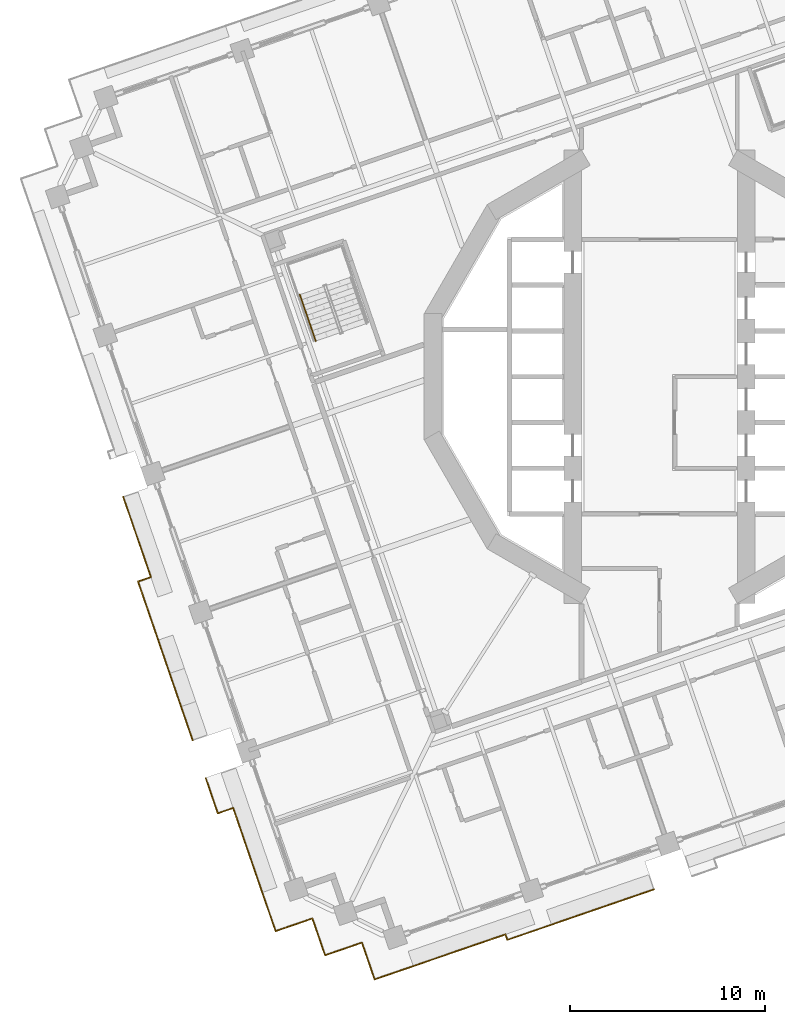
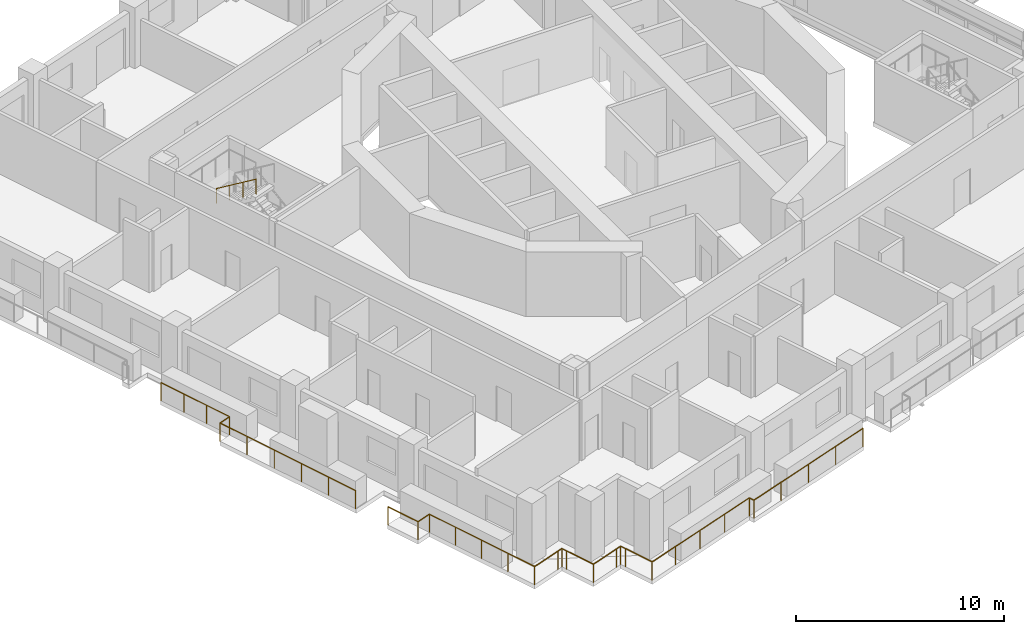
# One storey, part 16 of 22: 5 railings.
"""IFC4 building model written with IfcOpenShell, lengths in metres."""

from ifc_helpers import new_model, si_unit, direction, frame, origin, origin_2d, place, context, subcontext, project, spatial, circle, extrude, material, type_object, element, save


model = new_model("IFC4")

# Units and contexts
model_context = context("Model", 3, precision=1e-05, world=origin(), true_north=direction((0.0, 1.0)))
body_context = subcontext(model_context, "Body", "Model", "MODEL_VIEW")
ifc_project = project(units=[si_unit("LENGTHUNIT", "METRE"), si_unit("AREAUNIT", "SQUARE_METRE"), si_unit("VOLUMEUNIT", "CUBIC_METRE"), si_unit("PLANEANGLEUNIT", "RADIAN"), si_unit("MASSUNIT", "GRAM", prefix="KILO")], contexts=[model_context])

# Site, building, storey
site_placement = place(None, origin())
site = spatial("IfcSite", under=ifc_project, at=site_placement, CompositionType="ELEMENT")
building_placement = place(site_placement, origin())
building = spatial("IfcBuilding", under=site, at=building_placement, Name="Cantera Rosa Tower", CompositionType="ELEMENT")
storey_placement = place(building_placement, frame((0.0, 0.0, 115.5)))
storey = spatial("IfcBuildingStorey", under=building, at=storey_placement, Name="L23", CompositionType="ELEMENT", Elevation=115.5)

# Railings
ifc_material_1 = material(Name="Stainless steel and laminated glass", Category="steel")
railing_type_1 = type_object("IfcRailingType", Name="GUARD 1100", PredefinedType="BALUSTRADE", material=ifc_material_1)
railing_1_placement = place(storey_placement, frame((-20.25927734375, -26.859130859375, 0.0)))
element("IfcRailing", 1, at=railing_1_placement, inside=storey, type_object=railing_type_1, Name="GUARD L23-1", PredefinedType="BALUSTRADE", context=body_context, shape_type="SweptSolid", body=[
    extrude(circle(Radius=0.030029296875, at=origin_2d()), frame((0.0, 0.0, 1.070068359375), z_axis=(-0.325584707216, 0.945512875865, 0.0), x_axis=(-0.945512875865, -0.325584707216, 0.0)), (0.0, 0.0, 1.0), 4.98583984375),
    extrude(circle(Radius=0.030029296875, at=origin_2d()), frame((-1.623291015625, 4.714111328125, 1.070068359375), z_axis=(-0.94547555612, -0.325693065293, 0.0), x_axis=(0.325693065293, -0.94547555612, 0.0)), (0.0, 0.0, 1.0), 0.834228515625),
    extrude(circle(Radius=0.030029296875, at=origin_2d()), frame((-2.412109375, 4.4423828125, 1.070068359375), z_axis=(-0.325520455673, 0.945534998262, 0.0), x_axis=(-0.945534998262, -0.325520455673, 0.0)), (0.0, 0.0, 1.0), 1.904296875),
    extrude(circle(Radius=0.02490234375, at=origin_2d()), origin(), (0.0, 0.0, 1.0), 1.0400390625),
    extrude(circle(Radius=0.02490234375, at=origin_2d()), frame((-0.541015625, 1.5712890625, 0.0)), (0.0, 0.0, 1.0), 1.0400390625),
    extrude(circle(Radius=0.02490234375, at=origin_2d()), frame((-1.082275390625, 3.142822265625, 0.0)), (0.0, 0.0, 1.0), 1.0400390625),
    extrude(circle(Radius=0.02490234375, at=origin_2d()), frame((-1.623291015625, 4.714111328125, 0.0)), (0.0, 0.0, 1.0), 1.0400390625),
    extrude(circle(Radius=0.02490234375, at=origin_2d()), frame((-2.412109375, 4.4423828125, 0.0)), (0.0, 0.0, 1.0), 1.0400390625),
    extrude(circle(Radius=0.02490234375, at=origin_2d()), frame((-3.031982421875, 6.242919921875, 0.0)), (0.0, 0.0, 1.0), 1.0400390625),
])
railing_2_placement = place(storey_placement, frame((-0.275146484375, -26.32275390625, 0.0)))
element("IfcRailing", 2, at=railing_2_placement, inside=storey, type_object=railing_type_1, Name="GUARD L23-2", PredefinedType="BALUSTRADE", context=body_context, shape_type="SweptSolid", body=[
    extrude(circle(Radius=0.030029296875, at=origin_2d()), frame((0.0, 0.0, 1.070068359375), z_axis=(-0.945508985481, -0.32559600485, 0.0), x_axis=(0.32559600485, -0.945508985481, 0.0)), (0.0, 0.0, 1.0), 7.96923828125),
    extrude(circle(Radius=0.030029296875, at=origin_2d()), frame((-7.534912109375, -2.5947265625, 1.070068359375), z_axis=(-0.325512939397, 0.945537585866, 0.0), x_axis=(-0.945537585866, -0.325512939397, 0.0)), (0.0, 0.0, 1.0), 0.29931640625),
    extrude(circle(Radius=0.030029296875, at=origin_2d()), frame((-7.63232421875, -2.311767578125, 1.070068359375), z_axis=(-0.945522759596, -0.325556002993, 0.0), x_axis=(0.325556002993, -0.945522759596, 0.0)), (0.0, 0.0, 1.0), 5.40087890625),
    extrude(circle(Radius=0.030029296875, at=origin_2d()), frame((-12.739013671875, -4.070068359375, 1.070068359375), z_axis=(-0.945520918819, -0.325561349174, 0.0), x_axis=(0.325561349174, -0.945520918819, 0.0)), (0.0, 0.0, 1.0), 1.699951171875),
    extrude(circle(Radius=0.030029296875, at=origin_2d()), frame((-14.346435546875, -4.62353515625, 1.070068359375), z_axis=(-0.325561349174, 0.945520918819, 0.0), x_axis=(-0.945520918819, -0.325561349174, 0.0)), (0.0, 0.0, 1.0), 1.699951171875),
    extrude(circle(Radius=0.030029296875, at=origin_2d()), frame((-14.89990234375, -3.01611328125, 1.070068359375), z_axis=(-0.325489086777, 0.945545797087, 0.0), x_axis=(-0.945545797087, -0.325489086777, 0.0)), (0.0, 0.0, 1.0), 0.300048828125),
    extrude(circle(Radius=0.030029296875, at=origin_2d()), frame((-14.99755859375, -2.732421875, 1.070068359375), z_axis=(-0.945459489149, -0.325739703411, 0.0), x_axis=(0.325739703411, -0.945459489149, 0.0)), (0.0, 0.0, 1.0), 0.2998046875),
    extrude(circle(Radius=0.030029296875, at=origin_2d()), frame((-15.281005859375, -2.830078125, 1.070068359375), z_axis=(-0.945520918819, -0.325561349174, 0.0), x_axis=(0.325561349174, -0.945520918819, 0.0)), (0.0, 0.0, 1.0), 1.699951171875),
    extrude(circle(Radius=0.030029296875, at=origin_2d()), frame((-16.888427734375, -3.383544921875, 1.070068359375), z_axis=(-0.325605561237, 0.945505694584, 0.0), x_axis=(-0.945505694584, -0.325605561237, 0.0)), (0.0, 0.0, 1.0), 1.69970703125),
    extrude(circle(Radius=0.030029296875, at=origin_2d()), frame((-17.44189453125, -1.7763671875, 1.070068359375), z_axis=(-0.325489086777, 0.945545797087, 0.0), x_axis=(-0.945545797087, -0.325489086777, 0.0)), (0.0, 0.0, 1.0), 0.300048828125),
    extrude(circle(Radius=0.030029296875, at=origin_2d()), frame((-17.53955078125, -1.49267578125, 1.070068359375), z_axis=(-0.945545797087, -0.325489086777, 0.0), x_axis=(0.325489086777, -0.945545797087, 0.0)), (0.0, 0.0, 1.0), 0.300048828125),
    extrude(circle(Radius=0.030029296875, at=origin_2d()), frame((-17.8232421875, -1.59033203125, 1.070068359375), z_axis=(-0.945520918819, -0.325561349174, 0.0), x_axis=(0.325561349174, -0.945520918819, 0.0)), (0.0, 0.0, 1.0), 1.699951171875),
    extrude(circle(Radius=0.030029296875, at=origin_2d()), frame((-19.4306640625, -2.143798828125, 1.070068359375), z_axis=(-0.325561349174, 0.945520918819, 0.0), x_axis=(-0.945520918819, -0.325561349174, 0.0)), (0.0, 0.0, 1.0), 1.699951171875),
    extrude(circle(Radius=0.02490234375, at=origin_2d()), origin(), (0.0, 0.0, 1.0), 1.0400390625),
    extrude(circle(Radius=0.02490234375, at=origin_2d()), frame((-1.8837890625, -0.648681640625, 0.0)), (0.0, 0.0, 1.0), 1.0400390625),
    extrude(circle(Radius=0.02490234375, at=origin_2d()), frame((-3.767578125, -1.29736328125, 0.0)), (0.0, 0.0, 1.0), 1.0400390625),
    extrude(circle(Radius=0.02490234375, at=origin_2d()), frame((-5.651123046875, -1.946044921875, 0.0)), (0.0, 0.0, 1.0), 1.0400390625),
    extrude(circle(Radius=0.02490234375, at=origin_2d()), frame((-7.534912109375, -2.5947265625, 0.0)), (0.0, 0.0, 1.0), 1.0400390625),
    extrude(circle(Radius=0.02490234375, at=origin_2d()), frame((-7.63232421875, -2.311767578125, 0.0)), (0.0, 0.0, 1.0), 1.0400390625),
    extrude(circle(Radius=0.02490234375, at=origin_2d()), frame((-9.33447265625, -2.89794921875, 0.0)), (0.0, 0.0, 1.0), 1.0400390625),
    extrude(circle(Radius=0.02490234375, at=origin_2d()), frame((-11.036865234375, -3.48388671875, 0.0)), (0.0, 0.0, 1.0), 1.0400390625),
    extrude(circle(Radius=0.02490234375, at=origin_2d()), frame((-12.739013671875, -4.070068359375, 0.0)), (0.0, 0.0, 1.0), 1.0400390625),
    extrude(circle(Radius=0.02490234375, at=origin_2d()), frame((-14.346435546875, -4.62353515625, 0.0)), (0.0, 0.0, 1.0), 1.0400390625),
    extrude(circle(Radius=0.02490234375, at=origin_2d()), frame((-14.89990234375, -3.01611328125, 0.0)), (0.0, 0.0, 1.0), 1.0400390625),
    extrude(circle(Radius=0.02490234375, at=origin_2d()), frame((-14.99755859375, -2.732421875, 0.0)), (0.0, 0.0, 1.0), 1.0400390625),
    extrude(circle(Radius=0.02490234375, at=origin_2d()), frame((-15.281005859375, -2.830078125, 0.0)), (0.0, 0.0, 1.0), 1.0400390625),
    extrude(circle(Radius=0.02490234375, at=origin_2d()), frame((-16.888427734375, -3.383544921875, 0.0)), (0.0, 0.0, 1.0), 1.0400390625),
    extrude(circle(Radius=0.02490234375, at=origin_2d()), frame((-17.44189453125, -1.7763671875, 0.0)), (0.0, 0.0, 1.0), 1.0400390625),
    extrude(circle(Radius=0.02490234375, at=origin_2d()), frame((-17.53955078125, -1.49267578125, 0.0)), (0.0, 0.0, 1.0), 1.0400390625),
    extrude(circle(Radius=0.02490234375, at=origin_2d()), frame((-17.8232421875, -1.59033203125, 0.0)), (0.0, 0.0, 1.0), 1.0400390625),
    extrude(circle(Radius=0.02490234375, at=origin_2d()), frame((-19.4306640625, -2.143798828125, 0.0)), (0.0, 0.0, 1.0), 1.0400390625),
    extrude(circle(Radius=0.02490234375, at=origin_2d()), frame((-19.984130859375, -0.536376953125, 0.0)), (0.0, 0.0, 1.0), 1.0400390625),
])
railing_3_placement = place(storey_placement, frame((-26.110107421875, -10.28662109375, 0.0)))
element("IfcRailing", 3, at=railing_3_placement, inside=storey, type_object=railing_type_1, Name="GUARD L23-3", PredefinedType="BALUSTRADE", context=body_context, shape_type="SweptSolid", body=[
    extrude(circle(Radius=0.030029296875, at=origin_2d()), frame((0.0, 0.0, 1.070068359375), z_axis=(-0.325544978048, 0.945526555559, 0.0), x_axis=(-0.945526555559, -0.325544978048, 0.0)), (0.0, 0.0, 1.0), 4.355712890625),
    extrude(circle(Radius=0.02490234375, at=origin_2d()), origin(), (0.0, 0.0, 1.0), 1.0400390625),
    extrude(circle(Radius=0.02490234375, at=origin_2d()), frame((-0.47265625, 1.372802734375, 0.0)), (0.0, 0.0, 1.0), 1.0400390625),
    extrude(circle(Radius=0.02490234375, at=origin_2d()), frame((-0.9453125, 2.74560546875, 0.0)), (0.0, 0.0, 1.0), 1.0400390625),
    extrude(circle(Radius=0.02490234375, at=origin_2d()), frame((-1.41796875, 4.118408203125, 0.0)), (0.0, 0.0, 1.0), 1.0400390625),
])
railing_4_placement = place(storey_placement, frame((-23.9619140625, -18.668212890625, 0.0)))
element("IfcRailing", 4, at=railing_4_placement, inside=storey, type_object=railing_type_1, Name="GUARD L23-4", PredefinedType="BALUSTRADE", context=body_context, shape_type="SweptSolid", body=[
    extrude(circle(Radius=0.030029296875, at=origin_2d()), frame((0.0, 0.0, 1.070068359375), z_axis=(-0.325579738421, 0.945514586841, 0.0), x_axis=(-0.945514586841, -0.325579738421, 0.0)), (0.0, 0.0, 1.0), 8.624267578125),
    extrude(circle(Radius=0.030029296875, at=origin_2d()), frame((-2.807861328125, 8.154296875, 1.070068359375), z_axis=(0.945451042337, 0.325764219251, 0.0), x_axis=(-0.325764219251, 0.945451042337, 0.0)), (0.0, 0.0, 1.0), 0.69775390625),
    extrude(circle(Radius=0.02490234375, at=origin_2d()), origin(), (0.0, 0.0, 1.0), 1.0400390625),
    extrude(circle(Radius=0.02490234375, at=origin_2d()), frame((-0.5615234375, 1.630859375, 0.0)), (0.0, 0.0, 1.0), 1.0400390625),
    extrude(circle(Radius=0.02490234375, at=origin_2d()), frame((-1.123046875, 3.26171875, 0.0)), (0.0, 0.0, 1.0), 1.0400390625),
    extrude(circle(Radius=0.02490234375, at=origin_2d()), frame((-1.684814453125, 4.892578125, 0.0)), (0.0, 0.0, 1.0), 1.0400390625),
    extrude(circle(Radius=0.02490234375, at=origin_2d()), frame((-2.246337890625, 6.5234375, 0.0)), (0.0, 0.0, 1.0), 1.0400390625),
    extrude(circle(Radius=0.02490234375, at=origin_2d()), frame((-2.807861328125, 8.154296875, 0.0)), (0.0, 0.0, 1.0), 1.0400390625),
    extrude(circle(Radius=0.02490234375, at=origin_2d()), frame((-2.148193359375, 8.381591796875, 0.0)), (0.0, 0.0, 1.0), 1.0400390625),
])
ifc_material_2 = material(Name="Steel S355J2 (EN 10025-2)", Category="steel")
railing_type_2 = type_object("IfcRailingType", Name="STAIR HANDRAIL 900", PredefinedType="HANDRAIL", material=ifc_material_2)
railing_5_placement = place(storey_placement, frame((-18.46484375, 4.21142578125, 2.090087890625)))
element("IfcRailing", 5, at=railing_5_placement, inside=storey, type_object=railing_type_2, Name="L23 ST-22 stair handrail 2", PredefinedType="HANDRAIL", context=body_context, shape_type="SweptSolid", body=[
    extrude(circle(Radius=0.02392578125, at=origin_2d()), frame((0.0, 0.0, 0.8759765625), z_axis=(0.269432418223, -0.782404165978, 0.561471186323), x_axis=(0.94550776501, 0.325599548996, 0.0)), (0.0, 0.0, 1.0), 3.04541015625),
    extrude(circle(Radius=0.02099609375, at=origin_2d()), origin(), (0.0, 0.0, 1.0), 0.851806640625),
    extrude(circle(Radius=0.02099609375, at=origin_2d()), frame((0.2734375, -0.794189453125, 0.570068359375)), (0.0, 0.0, 1.0), 0.851806640625),
    extrude(circle(Radius=0.02099609375, at=origin_2d()), frame((0.547119140625, -1.588623046875, 1.139892578125)), (0.0, 0.0, 1.0), 0.851806640625),
    extrude(circle(Radius=0.02099609375, at=origin_2d()), frame((0.820556640625, -2.3828125, 1.7099609375)), (0.0, 0.0, 1.0), 0.851806640625),
])

save(model, "model.ifc")
